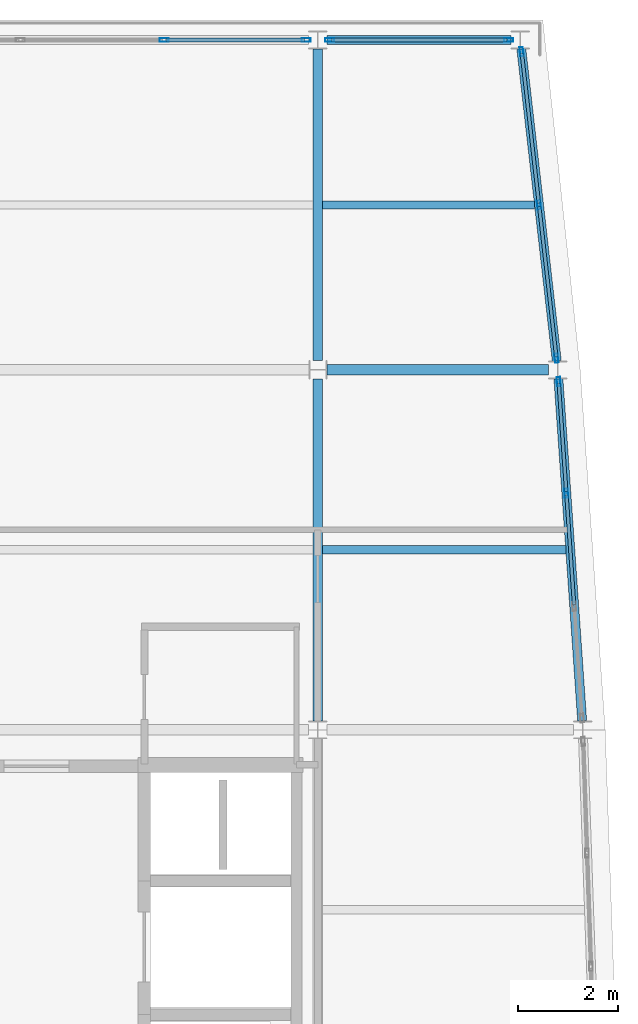
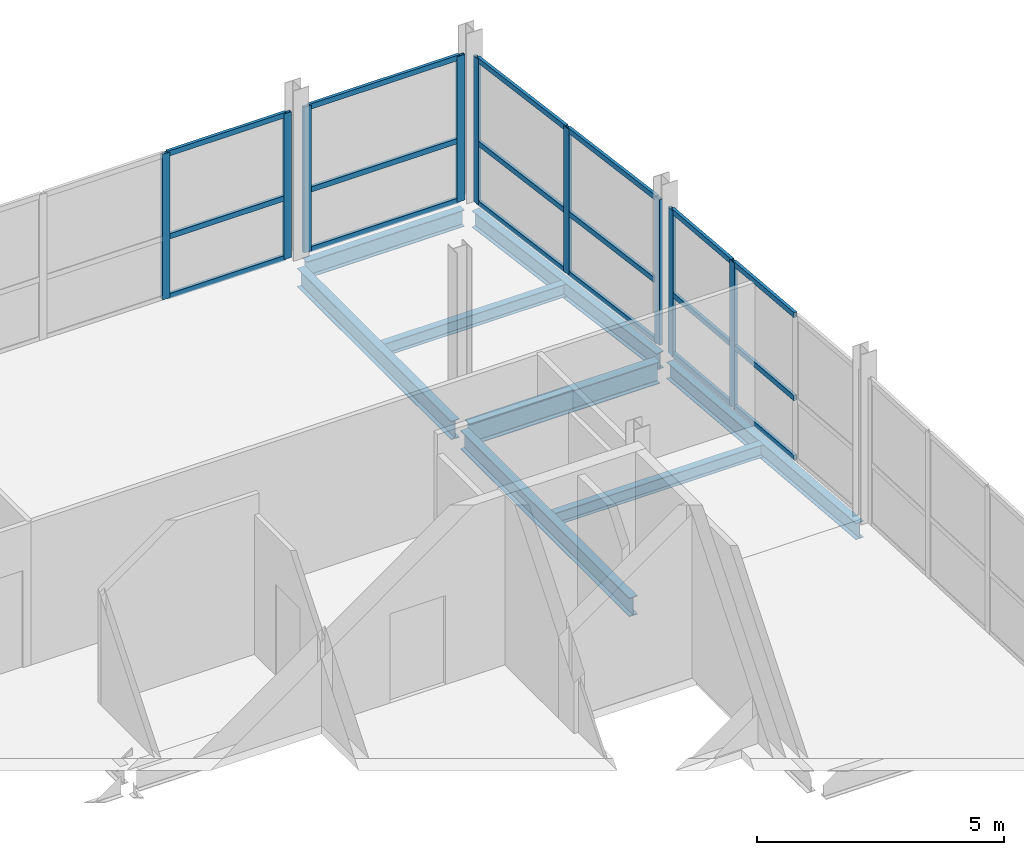
# One storey, part 9 of 17: 27 members, 8 beams, 4 elements without a shape of their own.
"""IFC4 building model written with IfcOpenShell, lengths in metres."""

from ifc_helpers import new_model, si_unit, direction, frame, origin, origin_2d, place, context, subcontext, project, spatial, hollow_rectangle, i_section, extrude, material, layer, layer_set, material_profile, profile_set, type_object, element, aggregate, save


model = new_model("IFC4")

# Units and contexts
model_context = context("Model", 3, precision=1e-05, world=origin(), true_north=direction((0.0, 1.0)))
body_context = subcontext(model_context, "Body", "Model", "MODEL_VIEW")
ifc_project = project(units=[si_unit("LENGTHUNIT", "METRE"), si_unit("AREAUNIT", "SQUARE_METRE"), si_unit("VOLUMEUNIT", "CUBIC_METRE"), si_unit("PLANEANGLEUNIT", "RADIAN"), si_unit("MASSUNIT", "GRAM", prefix="KILO")], contexts=[model_context])

# Site, building, storey
site_placement = place(None, origin())
site = spatial("IfcSite", under=ifc_project, at=site_placement, CompositionType="ELEMENT")
building_placement = place(site_placement, origin())
building = spatial("IfcBuilding", under=site, at=building_placement, Name="Quillay Park Conservatory", CompositionType="ELEMENT")
storey_placement = place(building_placement, frame((0.0, 0.0, 51.89990234375)))
storey = spatial("IfcBuildingStorey", under=building, at=storey_placement, Name="L12", CompositionType="ELEMENT", Elevation=51.89990234375)

# Beams
ifc_material_1 = material(Name="Steel ASTM A992 Grade 50", Category="steel")
ifc_material_profile_1 = material_profile(ifc_material_1, i_section(OverallWidth=0.166015625, OverallDepth=0.31298828125, WebThickness=0.006591796875, FlangeThickness=0.01123046875, FilletRadius=0.010009765625, at=origin_2d()), Name="W310x45")
ifc_profile_set_1 = profile_set([ifc_material_profile_1], Name="Steel ASTM A992 Grade 50")
beam_type_1 = type_object("IfcBeamType", Name="COMPOSITE FLOOR JOIST W310 X45", PredefinedType="JOIST", material=ifc_profile_set_1)
beam_1_placement = place(storey_placement, frame((19.845947265625, 103.199951171875, -0.3564453125), z_axis=(1.0, 0.0, 0.0), x_axis=(0.0, 1.0, 0.0)))
element("IfcBeam", 1, at=beam_1_placement, inside=storey, type_object=beam_type_1, Name="L12 beam BM-J-0875", PredefinedType="JOIST", context=body_context, shape_type="SweptSolid", body=[
    extrude(i_section(OverallWidth=0.166015625, OverallDepth=0.31298828125, WebThickness=0.006591796875, FlangeThickness=0.01123046875, FilletRadius=0.010009765625, at=origin_2d()), origin(), (0.0, 0.0, 1.0), 4.864013671875),
])
beam_2_placement = place(storey_placement, frame((19.845947265625, 110.10009765625, -0.3564453125), z_axis=(1.0, 0.0, 0.0), x_axis=(0.0, 1.0, 0.0)))
element("IfcBeam", 2, at=beam_2_placement, inside=storey, type_object=beam_type_1, Name="L12 beam BM-J-0882", PredefinedType="JOIST", context=body_context, shape_type="SweptSolid", body=[
    extrude(i_section(OverallWidth=0.166015625, OverallDepth=0.31298828125, WebThickness=0.006591796875, FlangeThickness=0.01123046875, FilletRadius=0.010009765625, at=origin_2d()), origin(), (0.0, 0.0, 1.0), 4.239013671875),
])

# Curtain wall, members
ifc_material_2 = material(Name="Thermally Broken Anodised Aluminium 6063-T6", Category="aluminium")
ifc_layer = layer(ifc_material_2, 0.179931640625)
ifc_layer_set = layer_set([ifc_layer], Name="UNITISED CURTAIN WALL TOWER (Thermally Broken Anodised Aluminium 6063-T6)")
curtain_wall_type = type_object("IfcCurtainWallType", Name="UNITISED CURTAIN WALL TOWER", PredefinedType="USERDEFINED", material=ifc_layer_set)
curtain_wall_1_placement = place(storey_placement, origin())
curtain_wall_1 = element("IfcCurtainWall", 3, at=curtain_wall_1_placement, inside=storey, type_object=curtain_wall_type, Name="L12 Unitised Curtain Wall 117", ObjectType="UNITISED CURTAIN WALL", PredefinedType="USERDEFINED")
ifc_material_3 = material(Name="Thermally Broken Anodised Aluminium 6063-T6", Category="aluminium")
ifc_material_profile_2 = material_profile(ifc_material_3, hollow_rectangle(XDim=0.070068359375, YDim=0.179931640625, WallThickness=0.00390625, at=origin_2d()), Name="AL70x180x4")
ifc_profile_set_2 = profile_set([ifc_material_profile_2], Name="Thermally Broken Anodised Aluminium 6063-T6")
member_type_1 = type_object("IfcMemberType", Name="CURTAIN WALL MULLION 70 X180", PredefinedType="MULLION", material=ifc_profile_set_2)
member_1_placement = place(storey_placement, frame((24.56640625, 106.565673828125, 0.0), z_axis=(0.0, 0.0, 1.0), x_axis=(0.99759835015, 0.069264217159, 0.0)))
member_1 = element("IfcMember", 4, at=member_1_placement, type_object=member_type_1, Name="CW-T1 mullion 1", PredefinedType="MULLION", context=body_context, shape_type="SweptSolid", body=[
    extrude(hollow_rectangle(XDim=0.070068359375, YDim=0.179931640625, WallThickness=0.00390625, at=origin_2d()), origin(), (0.0, 0.0, 1.0), 3.59912109375),
])
member_2_placement = place(storey_placement, frame((24.72119140625, 104.33349609375, 0.0), z_axis=(0.0, 0.0, 1.0), x_axis=(0.99759835015, 0.069264217159, 0.0)))
member_2 = element("IfcMember", 5, at=member_2_placement, type_object=member_type_1, Name="CW-T1 mullion 2", PredefinedType="MULLION", context=body_context, shape_type="SweptSolid", body=[
    extrude(hollow_rectangle(XDim=0.070068359375, YDim=0.179931640625, WallThickness=0.00390625, at=origin_2d()), origin(), (0.0, 0.0, 1.0), 3.59912109375),
])

curtain_wall_2_placement = place(storey_placement, origin())
curtain_wall_2 = element("IfcCurtainWall", 6, at=curtain_wall_2_placement, inside=storey, type_object=curtain_wall_type, Name="L12 Unitised Curtain Wall 118", ObjectType="UNITISED CURTAIN WALL", PredefinedType="USERDEFINED")
member_3_placement = place(storey_placement, frame((23.82666015625, 113.16650390625, 0.0), z_axis=(0.0, 0.0, 1.0), x_axis=(0.993605989969, 0.112903218278, 0.0)))
member_3 = element("IfcMember", 7, at=member_3_placement, type_object=member_type_1, Name="CW-T1 mullion 1", PredefinedType="MULLION", context=body_context, shape_type="SweptSolid", body=[
    extrude(hollow_rectangle(XDim=0.070068359375, YDim=0.179931640625, WallThickness=0.00390625, at=origin_2d()), origin(), (0.0, 0.0, 1.0), 3.59912109375),
])
member_4_placement = place(storey_placement, frame((24.175048828125, 110.10009765625, 0.0), z_axis=(0.0, 0.0, 1.0), x_axis=(0.993605989969, 0.112903218278, 0.0)))
member_4 = element("IfcMember", 8, at=member_4_placement, type_object=member_type_1, Name="CW-T1 mullion 2", PredefinedType="MULLION", context=body_context, shape_type="SweptSolid", body=[
    extrude(hollow_rectangle(XDim=0.070068359375, YDim=0.179931640625, WallThickness=0.00390625, at=origin_2d()), origin(), (0.0, 0.0, 1.0), 3.59912109375),
])
member_5_placement = place(storey_placement, frame((24.5234375, 107.033447265625, 0.0), z_axis=(0.0, 0.0, 1.0), x_axis=(0.993605989969, 0.112903218278, 0.0)))
member_5 = element("IfcMember", 9, at=member_5_placement, type_object=member_type_1, Name="CW-T1 mullion 3", PredefinedType="MULLION", context=body_context, shape_type="SweptSolid", body=[
    extrude(hollow_rectangle(XDim=0.070068359375, YDim=0.179931640625, WallThickness=0.00390625, at=origin_2d()), origin(), (0.0, 0.0, 1.0), 3.59912109375),
])

curtain_wall_3_placement = place(storey_placement, origin())
curtain_wall_3 = element("IfcCurtainWall", 10, at=curtain_wall_3_placement, inside=storey, type_object=curtain_wall_type, Name="L12 Unitised Curtain Wall 120", ObjectType="UNITISED CURTAIN WALL", PredefinedType="USERDEFINED")
member_6_placement = place(storey_placement, frame((16.675048828125, 113.39990234375, 0.0), z_axis=(0.0, 0.0, 1.0), x_axis=(0.0, 1.0, 0.0)))
member_6 = element("IfcMember", 11, at=member_6_placement, type_object=member_type_1, Name="CW-T1 mullion 4", PredefinedType="MULLION", context=body_context, shape_type="SweptSolid", body=[
    extrude(hollow_rectangle(XDim=0.070068359375, YDim=0.179931640625, WallThickness=0.00390625, at=origin_2d()), origin(), (0.0, 0.0, 1.0), 3.59912109375),
])
member_7_placement = place(storey_placement, frame((19.514892578125, 113.39990234375, 0.0), z_axis=(0.0, 0.0, 1.0), x_axis=(0.0, 1.0, 0.0)))
member_7 = element("IfcMember", 12, at=member_7_placement, type_object=member_type_1, Name="CW-T1 mullion 5", PredefinedType="MULLION", context=body_context, shape_type="SweptSolid", body=[
    extrude(hollow_rectangle(XDim=0.070068359375, YDim=0.179931640625, WallThickness=0.00390625, at=origin_2d()), origin(), (0.0, 0.0, 1.0), 3.59912109375),
])

curtain_wall_4_placement = place(storey_placement, origin())
curtain_wall_4 = element("IfcCurtainWall", 13, at=curtain_wall_4_placement, inside=storey, type_object=curtain_wall_type, Name="L12 Unitised Curtain Wall 121", ObjectType="UNITISED CURTAIN WALL", PredefinedType="USERDEFINED")
member_8_placement = place(storey_placement, frame((19.985107421875, 113.39990234375, 0.0), z_axis=(0.0, 0.0, 1.0), x_axis=(0.0, 1.0, 0.0)))
member_8 = element("IfcMember", 14, at=member_8_placement, type_object=member_type_1, Name="CW-T1 mullion 1", PredefinedType="MULLION", context=body_context, shape_type="SweptSolid", body=[
    extrude(hollow_rectangle(XDim=0.070068359375, YDim=0.179931640625, WallThickness=0.00390625, at=origin_2d()), origin(), (0.0, 0.0, 1.0), 3.59912109375),
])
member_9_placement = place(storey_placement, frame((23.56494140625, 113.39990234375, 0.0), z_axis=(0.0, 0.0, 1.0), x_axis=(0.0, 1.0, 0.0)))
member_9 = element("IfcMember", 15, at=member_9_placement, type_object=member_type_1, Name="CW-T1 mullion 2", PredefinedType="MULLION", context=body_context, shape_type="SweptSolid", body=[
    extrude(hollow_rectangle(XDim=0.070068359375, YDim=0.179931640625, WallThickness=0.00390625, at=origin_2d()), origin(), (0.0, 0.0, 1.0), 3.59912109375),
])

# Member
ifc_material_4 = material(Name="Thermally Broken Anodised Aluminium 6063-T6", Category="aluminium")
ifc_material_profile_3 = material_profile(ifc_material_4, hollow_rectangle(XDim=0.070068359375, YDim=0.1298828125, WallThickness=0.003173828125, at=origin_2d()), Name="AL70x130x3.2")
ifc_profile_set_3 = profile_set([ifc_material_profile_3], Name="Thermally Broken Anodised Aluminium 6063-T6")
member_type_2 = type_object("IfcMemberType", Name="CURTAIN WALL TRANSOM 70 X130", PredefinedType="USERDEFINED", material=ifc_profile_set_3)
member_10_placement = place(storey_placement, frame((24.56884765625, 106.53076171875, 0.03515625), z_axis=(0.069269814421, -0.997597961511, 0.0), x_axis=(0.997597961511, 0.069269814421, 0.0)))
member_10 = element("IfcMember", 16, at=member_10_placement, type_object=member_type_2, Name="CW-T1 transom 1.1", ObjectType="TRANSOM", PredefinedType="USERDEFINED", context=body_context, shape_type="SweptSolid", body=[
    extrude(hollow_rectangle(XDim=0.070068359375, YDim=0.1298828125, WallThickness=0.003173828125, at=origin_2d()), origin(), (0.0, 0.0, 1.0), 2.16748046875),
])

member_11_placement = place(storey_placement, frame((24.56884765625, 106.53076171875, 1.51171875), z_axis=(0.069269814421, -0.997597961511, 0.0), x_axis=(0.997597961511, 0.069269814421, 0.0)))
member_11 = element("IfcMember", 17, at=member_11_placement, type_object=member_type_2, Name="CW-T1 transom 1.2", ObjectType="TRANSOM", PredefinedType="USERDEFINED", context=body_context, shape_type="SweptSolid", body=[
    extrude(hollow_rectangle(XDim=0.070068359375, YDim=0.1298828125, WallThickness=0.003173828125, at=origin_2d()), origin(), (0.0, 0.0, 1.0), 2.16748046875),
])

member_12_placement = place(storey_placement, frame((24.56884765625, 106.53076171875, 3.564208984375), z_axis=(0.069269814421, -0.997597961511, 0.0), x_axis=(0.997597961511, 0.069269814421, 0.0)))
member_12 = element("IfcMember", 18, at=member_12_placement, type_object=member_type_2, Name="CW-T1 transom 1.3", ObjectType="TRANSOM", PredefinedType="USERDEFINED", context=body_context, shape_type="SweptSolid", body=[
    extrude(hollow_rectangle(XDim=0.070068359375, YDim=0.1298828125, WallThickness=0.003173828125, at=origin_2d()), origin(), (0.0, 0.0, 1.0), 2.16748046875),
])

member_13_placement = place(storey_placement, frame((24.7236328125, 104.298583984375, 0.03515625), z_axis=(0.069277598678, -0.997597420968, 0.0), x_axis=(0.997597420968, 0.069277598678, 0.0)))
member_13 = element("IfcMember", 19, at=member_13_placement, type_object=member_type_2, Name="CW-T1 transom 2.1", ObjectType="TRANSOM", PredefinedType="USERDEFINED", context=body_context, shape_type="SweptSolid", body=[
    extrude(hollow_rectangle(XDim=0.070068359375, YDim=0.1298828125, WallThickness=0.003173828125, at=origin_2d()), origin(), (0.0, 0.0, 1.0), 2.20263671875),
])

member_14_placement = place(storey_placement, frame((24.7236328125, 104.298583984375, 1.51171875), z_axis=(0.069277598678, -0.997597420968, 0.0), x_axis=(0.997597420968, 0.069277598678, 0.0)))
member_14 = element("IfcMember", 20, at=member_14_placement, type_object=member_type_2, Name="CW-T1 transom 2.2", ObjectType="TRANSOM", PredefinedType="USERDEFINED", context=body_context, shape_type="SweptSolid", body=[
    extrude(hollow_rectangle(XDim=0.070068359375, YDim=0.1298828125, WallThickness=0.003173828125, at=origin_2d()), origin(), (0.0, 0.0, 1.0), 2.20263671875),
])

member_15_placement = place(storey_placement, frame((24.7236328125, 104.298583984375, 3.564208984375), z_axis=(0.069277598678, -0.997597420968, 0.0), x_axis=(0.997597420968, 0.069277598678, 0.0)))
member_15 = element("IfcMember", 21, at=member_15_placement, type_object=member_type_2, Name="CW-T1 transom 2.3", ObjectType="TRANSOM", PredefinedType="USERDEFINED", context=body_context, shape_type="SweptSolid", body=[
    extrude(hollow_rectangle(XDim=0.070068359375, YDim=0.1298828125, WallThickness=0.003173828125, at=origin_2d()), origin(), (0.0, 0.0, 1.0), 2.20263671875),
])

aggregate(curtain_wall_1, [member_1, member_2, member_10, member_11, member_12, member_13, member_14, member_15])

member_16_placement = place(storey_placement, frame((23.83056640625, 113.1318359375, 0.03515625), z_axis=(0.112909688044, -0.99360525479, 0.0), x_axis=(0.99360525479, 0.112909688044, 0.0)))
member_16 = element("IfcMember", 22, at=member_16_placement, type_object=member_type_2, Name="CW-T1 transom 1.1", ObjectType="TRANSOM", PredefinedType="USERDEFINED", context=body_context, shape_type="SweptSolid", body=[
    extrude(hollow_rectangle(XDim=0.070068359375, YDim=0.1298828125, WallThickness=0.003173828125, at=origin_2d()), origin(), (0.0, 0.0, 1.0), 3.016357421875),
])

member_17_placement = place(storey_placement, frame((23.83056640625, 113.1318359375, 1.51171875), z_axis=(0.112909688044, -0.99360525479, 0.0), x_axis=(0.99360525479, 0.112909688044, 0.0)))
member_17 = element("IfcMember", 23, at=member_17_placement, type_object=member_type_2, Name="CW-T1 transom 1.2", ObjectType="TRANSOM", PredefinedType="USERDEFINED", context=body_context, shape_type="SweptSolid", body=[
    extrude(hollow_rectangle(XDim=0.070068359375, YDim=0.1298828125, WallThickness=0.003173828125, at=origin_2d()), origin(), (0.0, 0.0, 1.0), 3.016357421875),
])

member_18_placement = place(storey_placement, frame((23.83056640625, 113.1318359375, 3.564208984375), z_axis=(0.112909688044, -0.99360525479, 0.0), x_axis=(0.99360525479, 0.112909688044, 0.0)))
member_18 = element("IfcMember", 24, at=member_18_placement, type_object=member_type_2, Name="CW-T1 transom 1.3", ObjectType="TRANSOM", PredefinedType="USERDEFINED", context=body_context, shape_type="SweptSolid", body=[
    extrude(hollow_rectangle(XDim=0.070068359375, YDim=0.1298828125, WallThickness=0.003173828125, at=origin_2d()), origin(), (0.0, 0.0, 1.0), 3.016357421875),
])

member_19_placement = place(storey_placement, frame((24.178955078125, 110.065185546875, 0.03515625), z_axis=(0.112918769109, -0.993604222808, 0.0), x_axis=(0.993604222808, 0.112918769109, 0.0)))
member_19 = element("IfcMember", 25, at=member_19_placement, type_object=member_type_2, Name="CW-T1 transom 2.1", ObjectType="TRANSOM", PredefinedType="USERDEFINED", context=body_context, shape_type="SweptSolid", body=[
    extrude(hollow_rectangle(XDim=0.070068359375, YDim=0.1298828125, WallThickness=0.003173828125, at=origin_2d()), origin(), (0.0, 0.0, 1.0), 3.01611328125),
])

member_20_placement = place(storey_placement, frame((24.178955078125, 110.065185546875, 1.51171875), z_axis=(0.112918769109, -0.993604222808, 0.0), x_axis=(0.993604222808, 0.112918769109, 0.0)))
member_20 = element("IfcMember", 26, at=member_20_placement, type_object=member_type_2, Name="CW-T1 transom 2.2", ObjectType="TRANSOM", PredefinedType="USERDEFINED", context=body_context, shape_type="SweptSolid", body=[
    extrude(hollow_rectangle(XDim=0.070068359375, YDim=0.1298828125, WallThickness=0.003173828125, at=origin_2d()), origin(), (0.0, 0.0, 1.0), 3.01611328125),
])

member_21_placement = place(storey_placement, frame((24.178955078125, 110.065185546875, 3.564208984375), z_axis=(0.112918769109, -0.993604222808, 0.0), x_axis=(0.993604222808, 0.112918769109, 0.0)))
member_21 = element("IfcMember", 27, at=member_21_placement, type_object=member_type_2, Name="CW-T1 transom 2.3", ObjectType="TRANSOM", PredefinedType="USERDEFINED", context=body_context, shape_type="SweptSolid", body=[
    extrude(hollow_rectangle(XDim=0.070068359375, YDim=0.1298828125, WallThickness=0.003173828125, at=origin_2d()), origin(), (0.0, 0.0, 1.0), 3.01611328125),
])

aggregate(curtain_wall_2, [member_3, member_4, member_5, member_16, member_17, member_18, member_19, member_20, member_21])

member_22_placement = place(storey_placement, frame((16.7099609375, 113.39990234375, 0.03515625), z_axis=(1.0, 0.0, 0.0), x_axis=(0.0, 1.0, 0.0)))
member_22 = element("IfcMember", 28, at=member_22_placement, type_object=member_type_2, Name="CW-T1 transom 4.1", ObjectType="TRANSOM", PredefinedType="USERDEFINED", context=body_context, shape_type="SweptSolid", body=[
    extrude(hollow_rectangle(XDim=0.070068359375, YDim=0.1298828125, WallThickness=0.003173828125, at=origin_2d()), origin(), (0.0, 0.0, 1.0), 2.77001953125),
])

member_23_placement = place(storey_placement, frame((16.7099609375, 113.39990234375, 1.51171875), z_axis=(1.0, 0.0, 0.0), x_axis=(0.0, 1.0, 0.0)))
member_23 = element("IfcMember", 29, at=member_23_placement, type_object=member_type_2, Name="CW-T1 transom 4.2", ObjectType="TRANSOM", PredefinedType="USERDEFINED", context=body_context, shape_type="SweptSolid", body=[
    extrude(hollow_rectangle(XDim=0.070068359375, YDim=0.1298828125, WallThickness=0.003173828125, at=origin_2d()), origin(), (0.0, 0.0, 1.0), 2.77001953125),
])

member_24_placement = place(storey_placement, frame((16.7099609375, 113.39990234375, 3.564208984375), z_axis=(1.0, 0.0, 0.0), x_axis=(0.0, 1.0, 0.0)))
member_24 = element("IfcMember", 30, at=member_24_placement, type_object=member_type_2, Name="CW-T1 transom 4.3", ObjectType="TRANSOM", PredefinedType="USERDEFINED", context=body_context, shape_type="SweptSolid", body=[
    extrude(hollow_rectangle(XDim=0.070068359375, YDim=0.1298828125, WallThickness=0.003173828125, at=origin_2d()), origin(), (0.0, 0.0, 1.0), 2.77001953125),
])

aggregate(curtain_wall_3, [member_6, member_7, member_22, member_23, member_24])

member_25_placement = place(storey_placement, frame((20.02001953125, 113.39990234375, 0.03515625), z_axis=(1.0, 0.0, 0.0), x_axis=(0.0, 1.0, 0.0)))
member_25 = element("IfcMember", 31, at=member_25_placement, type_object=member_type_2, Name="CW-T1 transom 1.1", ObjectType="TRANSOM", PredefinedType="USERDEFINED", context=body_context, shape_type="SweptSolid", body=[
    extrude(hollow_rectangle(XDim=0.070068359375, YDim=0.1298828125, WallThickness=0.003173828125, at=origin_2d()), origin(), (0.0, 0.0, 1.0), 3.510009765625),
])

member_26_placement = place(storey_placement, frame((20.02001953125, 113.39990234375, 1.51171875), z_axis=(1.0, 0.0, 0.0), x_axis=(0.0, 1.0, 0.0)))
member_26 = element("IfcMember", 32, at=member_26_placement, type_object=member_type_2, Name="CW-T1 transom 1.2", ObjectType="TRANSOM", PredefinedType="USERDEFINED", context=body_context, shape_type="SweptSolid", body=[
    extrude(hollow_rectangle(XDim=0.070068359375, YDim=0.1298828125, WallThickness=0.003173828125, at=origin_2d()), origin(), (0.0, 0.0, 1.0), 3.510009765625),
])

member_27_placement = place(storey_placement, frame((20.02001953125, 113.39990234375, 3.564208984375), z_axis=(1.0, 0.0, 0.0), x_axis=(0.0, 1.0, 0.0)))
member_27 = element("IfcMember", 33, at=member_27_placement, type_object=member_type_2, Name="CW-T1 transom 1.3", ObjectType="TRANSOM", PredefinedType="USERDEFINED", context=body_context, shape_type="SweptSolid", body=[
    extrude(hollow_rectangle(XDim=0.070068359375, YDim=0.1298828125, WallThickness=0.003173828125, at=origin_2d()), origin(), (0.0, 0.0, 1.0), 3.510009765625),
])

aggregate(curtain_wall_4, [member_8, member_9, member_25, member_26, member_27])

# Beams
ifc_material_5 = material(Name="Steel ASTM A992 Grade 50", Category="steel")
ifc_material_profile_4 = material_profile(ifc_material_5, i_section(OverallWidth=0.179931640625, OverallDepth=0.4130859375, WebThickness=0.009765625, FlangeThickness=0.01611328125, FilletRadius=0.011962890625, at=origin_2d()), Name="W410x74")
ifc_profile_set_4 = profile_set([ifc_material_profile_4], Name="Steel ASTM A992 Grade 50")
beam_type_2 = type_object("IfcBeamType", Name="PERIMETER SPANDREL BEAM W410 X74", PredefinedType="SPANDREL", material=ifc_profile_set_4)
beam_3_placement = place(storey_placement, frame((19.9345703125, 113.39990234375, -0.406494140625), z_axis=(1.0, 0.0, 0.0), x_axis=(0.0, 1.0, 0.0)))
element("IfcBeam", 34, at=beam_3_placement, inside=storey, type_object=beam_type_2, Name="L12 beam BM-SP-0844", PredefinedType="SPANDREL", context=body_context, shape_type="SweptSolid", body=[
    extrude(i_section(OverallWidth=0.179931640625, OverallDepth=0.4130859375, WebThickness=0.009765625, FlangeThickness=0.01611328125, FilletRadius=0.011962890625, at=origin_2d()), origin(), (0.0, 0.0, 1.0), 3.680908203125),
])
beam_4_placement = place(storey_placement, frame((25.03759765625, 99.777587890625, -0.406494140625), z_axis=(-0.069279566009, 0.997597284346, 0.0), x_axis=(-0.997597284346, -0.069279566009, 0.0)))
element("IfcBeam", 35, at=beam_4_placement, inside=storey, type_object=beam_type_2, Name="L12 beam BM-SPE-0871", PredefinedType="SPANDREL", context=body_context, shape_type="SweptSolid", body=[
    extrude(i_section(OverallWidth=0.179931640625, OverallDepth=0.4130859375, WebThickness=0.009765625, FlangeThickness=0.01611328125, FilletRadius=0.011962890625, at=origin_2d()), origin(), (0.0, 0.0, 1.0), 6.861328125),
])
beam_5_placement = place(storey_placement, frame((24.52978515625, 106.976806640625, -0.406494140625), z_axis=(-0.112894874685, 0.993606938014, 0.0), x_axis=(-0.993606938014, -0.112894874685, 0.0)))
element("IfcBeam", 36, at=beam_5_placement, inside=storey, type_object=beam_type_2, Name="L12 beam BM-SPE-0878", PredefinedType="SPANDREL", context=body_context, shape_type="SweptSolid", body=[
    extrude(i_section(OverallWidth=0.179931640625, OverallDepth=0.4130859375, WebThickness=0.009765625, FlangeThickness=0.01611328125, FilletRadius=0.011962890625, at=origin_2d()), origin(), (0.0, 0.0, 1.0), 6.28662109375),
])
ifc_material_6 = material(Name="Steel ASTM A992 Grade 50", Category="steel")
ifc_material_profile_5 = material_profile(ifc_material_6, i_section(OverallWidth=0.19189453125, OverallDepth=0.462890625, WebThickness=0.010498046875, FlangeThickness=0.017578125, FilletRadius=0.012939453125, at=origin_2d()), Name="W460x89")
ifc_profile_set_5 = profile_set([ifc_material_profile_5], Name="Steel ASTM A992 Grade 50")
beam_type_3 = type_object("IfcBeamType", Name="PRIMARY FLOOR GIRDER W460 X89", PredefinedType="BEAM", material=ifc_profile_set_5)
beam_6_placement = place(storey_placement, frame((19.75, 99.778076171875, -0.431396484375), z_axis=(0.0, 1.0, 0.0), x_axis=(-1.0, 0.0, 0.0)))
element("IfcBeam", 37, at=beam_6_placement, inside=storey, type_object=beam_type_3, Name="L12 beam BM-GNS-0873", PredefinedType="BEAM", context=body_context, shape_type="SweptSolid", body=[
    extrude(i_section(OverallWidth=0.19189453125, OverallDepth=0.462890625, WebThickness=0.010498046875, FlangeThickness=0.017578125, FilletRadius=0.012939453125, at=origin_2d()), origin(), (0.0, 0.0, 1.0), 6.83740234375),
])
beam_7_placement = place(storey_placement, frame((19.75, 106.984619140625, -0.431396484375), z_axis=(0.0, 1.0, 0.0), x_axis=(-1.0, 0.0, 0.0)))
element("IfcBeam", 38, at=beam_7_placement, inside=storey, type_object=beam_type_3, Name="L12 beam BM-GNS-0880", PredefinedType="BEAM", context=body_context, shape_type="SweptSolid", body=[
    extrude(i_section(OverallWidth=0.19189453125, OverallDepth=0.462890625, WebThickness=0.010498046875, FlangeThickness=0.017578125, FilletRadius=0.012939453125, at=origin_2d()), origin(), (0.0, 0.0, 1.0), 6.2373046875),
])
ifc_material_7 = material(Name="Steel ASTM A992 Grade 50", Category="steel")
ifc_material_profile_6 = material_profile(ifc_material_7, i_section(OverallWidth=0.2109375, OverallDepth=0.5390625, WebThickness=0.01171875, FlangeThickness=0.018798828125, FilletRadius=0.013916015625, at=origin_2d()), Name="W530x109")
ifc_profile_set_6 = profile_set([ifc_material_profile_6], Name="Steel ASTM A992 Grade 50")
beam_type_4 = type_object("IfcBeamType", Name="PRIMARY FLOOR GIRDER W530 X109", PredefinedType="BEAM", material=ifc_profile_set_6)
beam_8_placement = place(storey_placement, frame((19.927978515625, 106.800048828125, -0.469482421875), z_axis=(1.0, 0.0, 0.0), x_axis=(0.0, 1.0, 0.0)))
element("IfcBeam", 39, at=beam_8_placement, inside=storey, type_object=beam_type_4, Name="L12 beam BM-G-0841", PredefinedType="BEAM", context=body_context, shape_type="SweptSolid", body=[
    extrude(i_section(OverallWidth=0.2109375, OverallDepth=0.5390625, WebThickness=0.01171875, FlangeThickness=0.018798828125, FilletRadius=0.013916015625, at=origin_2d()), origin(), (0.0, 0.0, 1.0), 4.4375),
])

save(model, "model.ifc")
